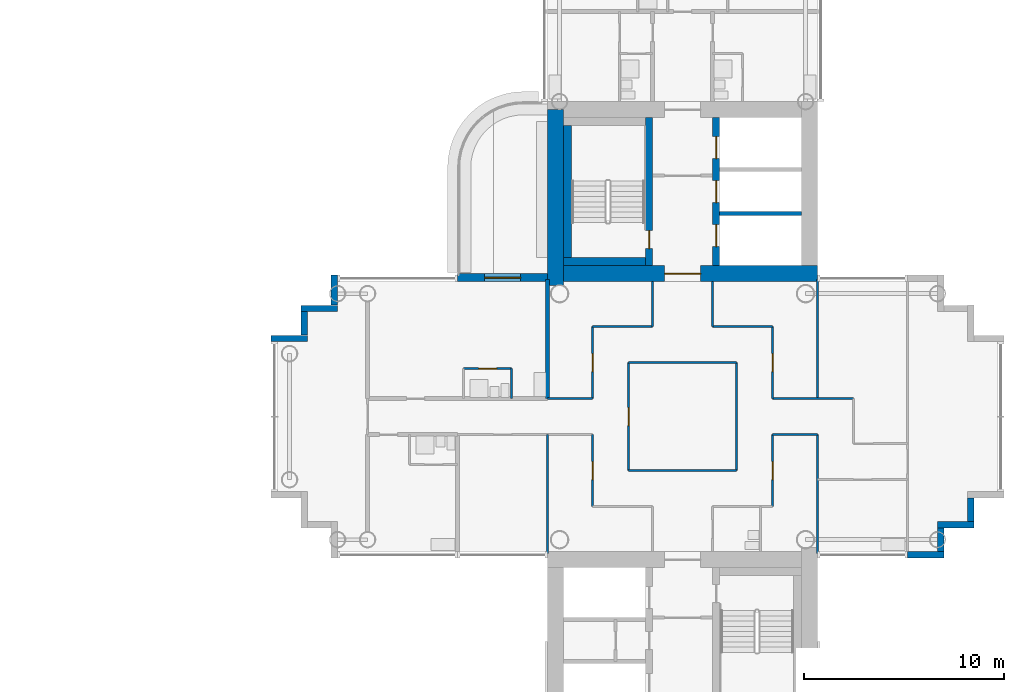
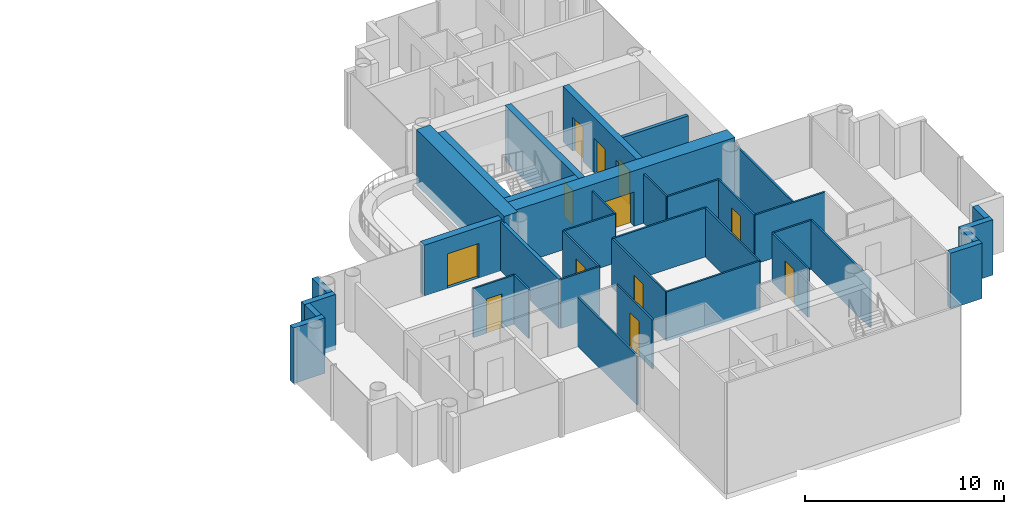
# One storey, part 11 of 20: 37 walls, 12 doors, 12 openings.
"""IFC4 building model written with IfcOpenShell, lengths in metres."""

from ifc_helpers import new_model, si_unit, direction, frame, frame_2d, origin, place, context, subcontext, project, spatial, rectangle, extrude, material, layer, layer_set, type_object, element, fill, save


model = new_model("IFC4")

# Units and contexts
model_context = context("Model", 3, precision=1e-05, world=origin(), true_north=direction((0.0, 1.0)))
body_context = subcontext(model_context, "Body", "Model", "MODEL_VIEW")
ifc_project = project(units=[si_unit("LENGTHUNIT", "METRE"), si_unit("AREAUNIT", "SQUARE_METRE"), si_unit("VOLUMEUNIT", "CUBIC_METRE"), si_unit("PLANEANGLEUNIT", "RADIAN"), si_unit("MASSUNIT", "GRAM", prefix="KILO")], contexts=[model_context])

# Site, building, storey
site_placement = place(None, origin())
site = spatial("IfcSite", under=ifc_project, at=site_placement, CompositionType="ELEMENT")
building_placement = place(site_placement, origin())
building = spatial("IfcBuilding", under=site, at=building_placement, Name="Ipe Terrace Towers", CompositionType="ELEMENT")
storey_placement = place(building_placement, frame((0.0, 0.0, 167.699951171875)))
storey = spatial("IfcBuildingStorey", under=building, at=storey_placement, Name="L46", CompositionType="ELEMENT", Elevation=167.699951171875)

# Wall, opening, door
ifc_material_1 = material(Name="Concrete C40/50 with buff precast cladding", Category="concrete")
ifc_layer_1 = layer(ifc_material_1, 0.39990234375)
ifc_layer_set_1 = layer_set([ifc_layer_1], Name="BALCONY BAY WALL 400")
wall_type_1 = type_object("IfcWallType", Name="BALCONY BAY WALL 400", PredefinedType="STANDARD", material=ifc_layer_set_1)
wall_1_placement = place(storey_placement, frame((29.25, 6.949951171875, -0.02001953125), z_axis=(0.0, 0.0, 1.0), x_axis=(-1.0, 0.0, 0.0)))
wall_1 = element("IfcWall", 1, at=wall_1_placement, inside=storey, type_object=wall_type_1, Name="T2-W-L46-28a wall", PredefinedType="STANDARD", context=body_context, shape_type="SweptSolid", body=[
    extrude(rectangle(XDim=4.5, YDim=0.39990234375, at=frame_2d((2.25, 0.0))), origin(), (0.0, 0.0, 1.0), 3.1201171875),
])
opening_1_placement = place(wall_1_placement, frame((1.35009765625, 0.0, 0.02001953125)))
opening_1 = element("IfcOpeningElement", 2, at=opening_1_placement, cuts=wall_1, Name="Opening T2-D-L46-28", PredefinedType="OPENING", context=body_context, shape_type="SweptSolid", body=[
    extrude(rectangle(XDim=1.800048828125, YDim=2.10009765625, at=frame_2d((0.89990234375, 1.050048828125))), frame((0.0, 0.2099609375, 0.0), z_axis=(0.0, -1.0, 0.0), x_axis=(1.0, 0.0, 0.0)), (0.0, 0.0, 1.0), 0.419921875),
])
ifc_material_2 = material(Name="Aluminium alloy 6063-T6 framed glazed door", Category="aluminium")
door_type_1 = type_object("IfcDoorType", Name="BALCONY DOOR 1800 x 2100 RIGHT", OperationType="SINGLE_SWING_RIGHT", PredefinedType="DOOR", material=ifc_material_2)
door_1_placement = place(opening_1_placement, origin())
door_1 = element("IfcDoor", 3, at=door_1_placement, inside=storey, type_object=door_type_1, Name="DB2 door", OperationType="SINGLE_SWING_RIGHT", OverallHeight=2.10009765625, OverallWidth=1.800048828125, PredefinedType="DOOR", context=body_context, shape_type="SweptSolid", body=[
    extrude(rectangle(XDim=1.800048828125, YDim=2.10009765625, at=frame_2d((0.89990234375, 1.050048828125))), frame((0.0, 0.02490234375, 0.0), z_axis=(0.0, -1.0, 0.0), x_axis=(1.0, 0.0, 0.0)), (0.0, 0.0, 1.0), 0.050048828125),
])
fill(opening_1, door_1)

# Walls
ifc_material_3 = material(Name="Concrete C40/50 with buff precast cladding", Category="concrete")
ifc_layer_2 = layer(ifc_material_3, 0.320068359375)
ifc_layer_set_2 = layer_set([ifc_layer_2], Name="BUFF CLADDING WALL 320")
wall_type_2 = type_object("IfcWallType", Name="BUFF CLADDING WALL 320", PredefinedType="STANDARD", material=ifc_layer_set_2)
wall_2_placement = place(storey_placement, frame((47.25, -6.909912109375, -0.300048828125), z_axis=(0.0, 0.0, 1.0), x_axis=(1.0, 0.0, 0.0)))
element("IfcWall", 4, at=wall_2_placement, inside=storey, type_object=wall_type_2, Name="T2-W-L46-03a wall", PredefinedType="STANDARD", context=body_context, shape_type="SweptSolid", body=[
    extrude(rectangle(XDim=1.820068359375, YDim=0.320068359375, at=frame_2d((0.91015625, 0.0))), origin(), (0.0, 0.0, 1.0), 3.400146484375),
])
wall_3_placement = place(storey_placement, frame((48.909912109375, -6.75, -0.300048828125), z_axis=(0.0, 0.0, 1.0), x_axis=(0.0, 1.0, 0.0)))
element("IfcWall", 5, at=wall_3_placement, inside=storey, type_object=wall_type_2, Name="T2-W-L46-04a wall", PredefinedType="STANDARD", context=body_context, shape_type="SweptSolid", body=[
    extrude(rectangle(XDim=1.179931640625, YDim=0.320068359375, at=frame_2d((0.58984375, 0.0))), origin(), (0.0, 0.0, 1.0), 3.400146484375),
])
wall_4_placement = place(storey_placement, frame((48.75, -5.409912109375, -0.300048828125), z_axis=(0.0, 0.0, 1.0), x_axis=(1.0, 0.0, 0.0)))
element("IfcWall", 6, at=wall_4_placement, inside=storey, type_object=wall_type_2, Name="T2-W-L46-05a wall", PredefinedType="STANDARD", context=body_context, shape_type="SweptSolid", body=[
    extrude(rectangle(XDim=1.820068359375, YDim=0.320068359375, at=frame_2d((0.91015625, 0.0))), origin(), (0.0, 0.0, 1.0), 3.400146484375),
])
wall_5_placement = place(storey_placement, frame((50.409912109375, -5.25, -0.300048828125), z_axis=(0.0, 0.0, 1.0), x_axis=(0.0, 1.0, 0.0)))
element("IfcWall", 7, at=wall_5_placement, inside=storey, type_object=wall_type_2, Name="T2-W-L46-06a wall", PredefinedType="STANDARD", context=body_context, shape_type="SweptSolid", body=[
    extrude(rectangle(XDim=1.179931640625, YDim=0.320068359375, at=frame_2d((0.58984375, 0.0))), origin(), (0.0, 0.0, 1.0), 3.400146484375),
])
wall_6_placement = place(storey_placement, frame((18.590087890625, 7.070068359375, -0.300048828125), z_axis=(0.0, 0.0, 1.0), x_axis=(0.0, -1.0, 0.0)))
element("IfcWall", 8, at=wall_6_placement, inside=storey, type_object=wall_type_2, Name="T2-W-L46-30a wall", PredefinedType="STANDARD", context=body_context, shape_type="SweptSolid", body=[
    extrude(rectangle(XDim=1.5, YDim=0.320068359375, at=frame_2d((0.75, 0.0))), origin(), (0.0, 0.0, 1.0), 3.400146484375),
])
wall_7_placement = place(storey_placement, frame((18.75, 5.409912109375, -0.300048828125), z_axis=(0.0, 0.0, 1.0), x_axis=(-1.0, 0.0, 0.0)))
element("IfcWall", 9, at=wall_7_placement, inside=storey, type_object=wall_type_2, Name="T2-W-L46-31a wall", PredefinedType="STANDARD", context=body_context, shape_type="SweptSolid", body=[
    extrude(rectangle(XDim=1.820068359375, YDim=0.320068359375, at=frame_2d((0.91015625, 0.0))), origin(), (0.0, 0.0, 1.0), 3.400146484375),
])
wall_8_placement = place(storey_placement, frame((17.090087890625, 5.25, -0.300048828125), z_axis=(0.0, 0.0, 1.0), x_axis=(0.0, -1.0, 0.0)))
element("IfcWall", 10, at=wall_8_placement, inside=storey, type_object=wall_type_2, Name="T2-W-L46-32a wall", PredefinedType="STANDARD", context=body_context, shape_type="SweptSolid", body=[
    extrude(rectangle(XDim=1.179931640625, YDim=0.320068359375, at=frame_2d((0.58984375, 0.0))), origin(), (0.0, 0.0, 1.0), 3.400146484375),
])
wall_9_placement = place(storey_placement, frame((17.25, 3.909912109375, -0.300048828125), z_axis=(0.0, 0.0, 1.0), x_axis=(-1.0, 0.0, 0.0)))
element("IfcWall", 11, at=wall_9_placement, inside=storey, type_object=wall_type_2, Name="T2-W-L46-33a wall", PredefinedType="STANDARD", context=body_context, shape_type="SweptSolid", body=[
    extrude(rectangle(XDim=1.820068359375, YDim=0.320068359375, at=frame_2d((0.91015625, 0.0))), origin(), (0.0, 0.0, 1.0), 3.400146484375),
])
ifc_material_4 = material(Name="Gypsum board partition", Category="plasterboard")
ifc_layer_3 = layer(ifc_material_4, 0.10009765625)
ifc_layer_set_3 = layer_set([ifc_layer_3], Name="Gypsum board partition 100 mm")
wall_type_3 = type_object("IfcWallType", Name="Gypsum board partition 100 mm", PredefinedType="PARTITIONING", material=ifc_layer_set_3)
wall_10_placement = place(storey_placement, frame((38.699951171875, -2.699951171875, 0.0), z_axis=(0.0, 0.0, 1.0), x_axis=(-1.0, 0.0, 0.0)))
element("IfcWall", 12, at=wall_10_placement, inside=storey, type_object=wall_type_3, Name="Gypsum board partition T2 L46 W04", PredefinedType="PARTITIONING", context=body_context, shape_type="SweptSolid", body=[
    extrude(rectangle(XDim=5.39990234375, YDim=0.10009765625, at=frame_2d((2.699951171875, 0.0))), origin(), (0.0, 0.0, 1.0), 3.0),
])
wall_11_placement = place(storey_placement, frame((42.75, -0.89990234375, 0.0), z_axis=(0.0, 0.0, 1.0), x_axis=(-1.0, 0.0, 0.0)))
element("IfcWall", 13, at=wall_11_placement, inside=storey, type_object=wall_type_3, Name="Gypsum board partition T2 L46 W07", PredefinedType="PARTITIONING", context=body_context, shape_type="SweptSolid", body=[
    extrude(rectangle(XDim=2.25, YDim=0.10009765625, at=frame_2d((1.125, 0.0))), origin(), (0.0, 0.0, 1.0), 3.0),
])
wall_12_placement = place(storey_placement, frame((44.550048828125, 0.89990234375, 0.0), z_axis=(0.0, 0.0, 1.0), x_axis=(-1.0, 0.0, 0.0)))
element("IfcWall", 14, at=wall_12_placement, inside=storey, type_object=wall_type_3, Name="Gypsum board partition T2 L46 W10", PredefinedType="PARTITIONING", context=body_context, shape_type="SweptSolid", body=[
    extrude(rectangle(XDim=4.050048828125, YDim=0.10009765625, at=frame_2d((2.02490234375, 0.0))), origin(), (0.0, 0.0, 1.0), 3.0),
])
wall_13_placement = place(storey_placement, frame((31.5, 0.89990234375, 0.0), z_axis=(0.0, 0.0, 1.0), x_axis=(-1.0, 0.0, 0.0)))
element("IfcWall", 15, at=wall_13_placement, inside=storey, type_object=wall_type_3, Name="Gypsum board partition T2 L46 W11", PredefinedType="PARTITIONING", context=body_context, shape_type="SweptSolid", body=[
    extrude(rectangle(XDim=2.25, YDim=0.10009765625, at=frame_2d((1.125, 0.0))), origin(), (0.0, 0.0, 1.0), 3.0),
])

# Wall, opening, door
wall_14_placement = place(storey_placement, frame((27.449951171875, 2.39990234375, 0.0), z_axis=(0.0, 0.0, 1.0), x_axis=(-1.0, 0.0, 0.0)))
wall_14 = element("IfcWall", 16, at=wall_14_placement, inside=storey, type_object=wall_type_3, Name="Gypsum board partition T2 L46 W13", PredefinedType="PARTITIONING", context=body_context, shape_type="SweptSolid", body=[
    extrude(rectangle(XDim=2.39990234375, YDim=0.10009765625, at=frame_2d((1.199951171875, 0.0))), origin(), (0.0, 0.0, 1.0), 3.0),
])
opening_2_placement = place(wall_14_placement, frame((0.75, 0.0, 0.0)))
opening_2 = element("IfcOpeningElement", 17, at=opening_2_placement, cuts=wall_14, Name="Opening T2-Z3F-11", PredefinedType="OPENING", context=body_context, shape_type="SweptSolid", body=[
    extrude(rectangle(XDim=0.89990234375, YDim=2.10009765625, at=frame_2d((0.449951171875, 1.050048828125))), frame((0.0, 0.06005859375, 0.0), z_axis=(0.0, -1.0, 0.0), x_axis=(1.0, 0.0, 0.0)), (0.0, 0.0, 1.0), 0.1201171875),
])
ifc_material_5 = material(Name="Timber door leaf", Category="wood")
door_type_2 = type_object("IfcDoorType", Name="Bathroom door 900 x 2100", OperationType="NOTDEFINED", PredefinedType="DOOR", material=ifc_material_5)
door_2_placement = place(opening_2_placement, origin())
door_2 = element("IfcDoor", 18, at=door_2_placement, inside=storey, type_object=door_type_2, Name="Bathroom door T2-Z3F-11", OperationType="SINGLE_SWING_LEFT", OverallHeight=2.10009765625, OverallWidth=0.89990234375, PredefinedType="DOOR", context=body_context, shape_type="SweptSolid", body=[
    extrude(rectangle(XDim=0.89990234375, YDim=2.10009765625, at=frame_2d((0.449951171875, 1.050048828125))), frame((0.0, 0.02490234375, 0.0), z_axis=(0.0, -1.0, 0.0), x_axis=(1.0, 0.0, 0.0)), (0.0, 0.0, 1.0), 0.050048828125),
])
fill(opening_2, door_2)

# Walls
wall_15_placement = place(storey_placement, frame((38.699951171875, 2.699951171875, 0.0), z_axis=(0.0, 0.0, 1.0), x_axis=(-1.0, 0.0, 0.0)))
element("IfcWall", 19, at=wall_15_placement, inside=storey, type_object=wall_type_3, Name="Gypsum board partition T2 L46 W14", PredefinedType="PARTITIONING", context=body_context, shape_type="SweptSolid", body=[
    extrude(rectangle(XDim=5.39990234375, YDim=0.10009765625, at=frame_2d((2.699951171875, 0.0))), origin(), (0.0, 0.0, 1.0), 3.0),
])
for number, where, z_axis, x_axis, name in (
    (20, (40.5, 4.5, 0.0), (0.0, 0.0, 1.0), (-1.0, 0.0, 0.0), "Gypsum board partition T2 L46 W15"),
    (21, (34.5, 4.5, 0.0), (0.0, 0.0, 1.0), (-1.0, 0.0, 0.0), "Gypsum board partition T2 L46 W16"),
):
    element("IfcWall", number, at=place(storey_placement, frame(where, z_axis=z_axis, x_axis=x_axis)), inside=storey, type_object=wall_type_3, Name=name, PredefinedType="PARTITIONING", context=body_context, shape_type="SweptSolid", body=[
        extrude(rectangle(XDim=3.0, YDim=0.10009765625, at=frame_2d((1.5, 0.0))), origin(), (0.0, 0.0, 1.0), 3.0),
    ])
for number, where, z_axis, x_axis, name in (
    (22, (42.75, -6.85009765625, 0.0), (0.0, 0.0, 1.0), (0.0, 1.0, 0.0), "Gypsum board partition T2 L46 W23"),
    (23, (42.75, 0.89990234375, 0.0), (0.0, 0.0, 1.0), (0.0, 1.0, 0.0), "Gypsum board partition T2 L46 W24"),
):
    element("IfcWall", number, at=place(storey_placement, frame(where, z_axis=z_axis, x_axis=x_axis)), inside=storey, type_object=wall_type_3, Name=name, PredefinedType="PARTITIONING", context=body_context, shape_type="SweptSolid", body=[
        extrude(rectangle(XDim=5.9501953125, YDim=0.10009765625, at=frame_2d((2.97509765625, 0.0))), origin(), (0.0, 0.0, 1.0), 3.0),
    ])

# Wall, opening, door
wall_16_placement = place(storey_placement, frame((40.5, -4.5, 0.0), z_axis=(0.0, 0.0, 1.0), x_axis=(0.0, 1.0, 0.0)))
wall_16 = element("IfcWall", 24, at=wall_16_placement, inside=storey, type_object=wall_type_3, Name="Gypsum board partition T2 L46 W25", PredefinedType="PARTITIONING", context=body_context, shape_type="SweptSolid", body=[
    extrude(rectangle(XDim=3.60009765625, YDim=0.10009765625, at=frame_2d((1.800048828125, 0.0))), origin(), (0.0, 0.0, 1.0), 3.0),
])
opening_3_placement = place(wall_16_placement, frame((1.35009765625, 0.0, 0.0)))
opening_3 = element("IfcOpeningElement", 25, at=opening_3_placement, cuts=wall_16, Name="Opening T2-Z3F-05", PredefinedType="OPENING", context=body_context, shape_type="SweptSolid", body=[
    extrude(rectangle(XDim=0.89990234375, YDim=2.10009765625, at=frame_2d((0.449951171875, 1.050048828125))), frame((0.0, 0.06005859375, 0.0), z_axis=(0.0, -1.0, 0.0), x_axis=(1.0, 0.0, 0.0)), (0.0, 0.0, 1.0), 0.1201171875),
])
ifc_material_6 = material(Name="Timber door leaf", Category="wood")
door_type_3 = type_object("IfcDoorType", Name="Lounge door 900 x 2100", OperationType="NOTDEFINED", PredefinedType="DOOR", material=ifc_material_6)
door_3_placement = place(opening_3_placement, origin())
door_3 = element("IfcDoor", 26, at=door_3_placement, inside=storey, type_object=door_type_3, Name="Lounge door T2-Z3F-05", OperationType="SINGLE_SWING_LEFT", OverallHeight=2.10009765625, OverallWidth=0.89990234375, PredefinedType="DOOR", context=body_context, shape_type="SweptSolid", body=[
    extrude(rectangle(XDim=0.89990234375, YDim=2.10009765625, at=frame_2d((0.449951171875, 1.050048828125))), frame((0.0, 0.02490234375, 0.0), z_axis=(0.0, -1.0, 0.0), x_axis=(1.0, 0.0, 0.0)), (0.0, 0.0, 1.0), 0.050048828125),
])
fill(opening_3, door_3)

wall_17_placement = place(storey_placement, frame((40.5, 0.89990234375, 0.0), z_axis=(0.0, 0.0, 1.0), x_axis=(0.0, 1.0, 0.0)))
wall_17 = element("IfcWall", 27, at=wall_17_placement, inside=storey, type_object=wall_type_3, Name="Gypsum board partition T2 L46 W26", PredefinedType="PARTITIONING", context=body_context, shape_type="SweptSolid", body=[
    extrude(rectangle(XDim=3.60009765625, YDim=0.10009765625, at=frame_2d((1.800048828125, 0.0))), origin(), (0.0, 0.0, 1.0), 3.0),
])
opening_4_placement = place(wall_17_placement, frame((1.35009765625, 0.0, 0.0)))
opening_4 = element("IfcOpeningElement", 28, at=opening_4_placement, cuts=wall_17, Name="Opening T2-Z3F-06", PredefinedType="OPENING", context=body_context, shape_type="SweptSolid", body=[
    extrude(rectangle(XDim=0.89990234375, YDim=2.10009765625, at=frame_2d((0.449951171875, 1.050048828125))), frame((0.0, 0.06005859375, 0.0), z_axis=(0.0, -1.0, 0.0), x_axis=(1.0, 0.0, 0.0)), (0.0, 0.0, 1.0), 0.1201171875),
])
door_4_placement = place(opening_4_placement, origin())
door_4 = element("IfcDoor", 29, at=door_4_placement, inside=storey, type_object=door_type_3, Name="Lounge door T2-Z3F-06", OperationType="SINGLE_SWING_LEFT", OverallHeight=2.10009765625, OverallWidth=0.89990234375, PredefinedType="DOOR", context=body_context, shape_type="SweptSolid", body=[
    extrude(rectangle(XDim=0.89990234375, YDim=2.10009765625, at=frame_2d((0.449951171875, 1.050048828125))), frame((0.0, 0.02490234375, 0.0), z_axis=(0.0, -1.0, 0.0), x_axis=(1.0, 0.0, 0.0)), (0.0, 0.0, 1.0), 0.050048828125),
])
fill(opening_4, door_4)

# Walls
wall_18_placement = place(storey_placement, frame((38.699951171875, -2.699951171875, 0.0), z_axis=(0.0, 0.0, 1.0), x_axis=(0.0, 1.0, 0.0)))
element("IfcWall", 30, at=wall_18_placement, inside=storey, type_object=wall_type_3, Name="Gypsum board partition T2 L46 W29", PredefinedType="PARTITIONING", context=body_context, shape_type="SweptSolid", body=[
    extrude(rectangle(XDim=5.39990234375, YDim=0.10009765625, at=frame_2d((2.699951171875, 0.0))), origin(), (0.0, 0.0, 1.0), 3.0),
])
for number, where, z_axis, x_axis, name in (
    (31, (37.5, 4.5, 0.0), (0.0, 0.0, 1.0), (0.0, 1.0, 0.0), "Gypsum board partition T2 L46 W32"),
    (32, (34.5, 4.5, 0.0), (0.0, 0.0, 1.0), (0.0, 1.0, 0.0), "Gypsum board partition T2 L46 W36"),
):
    element("IfcWall", number, at=place(storey_placement, frame(where, z_axis=z_axis, x_axis=x_axis)), inside=storey, type_object=wall_type_3, Name=name, PredefinedType="PARTITIONING", context=body_context, shape_type="SweptSolid", body=[
        extrude(rectangle(XDim=2.25, YDim=0.10009765625, at=frame_2d((1.125, 0.0))), origin(), (0.0, 0.0, 1.0), 3.0),
    ])

# Wall, opening, door
wall_19_placement = place(storey_placement, frame((33.300048828125, -2.699951171875, 0.0), z_axis=(0.0, 0.0, 1.0), x_axis=(0.0, 1.0, 0.0)))
wall_19 = element("IfcWall", 33, at=wall_19_placement, inside=storey, type_object=wall_type_3, Name="Gypsum board partition T2 L46 W39", PredefinedType="PARTITIONING", context=body_context, shape_type="SweptSolid", body=[
    extrude(rectangle(XDim=5.39990234375, YDim=0.10009765625, at=frame_2d((2.699951171875, 0.0))), origin(), (0.0, 0.0, 1.0), 3.0),
])
opening_5_placement = place(wall_19_placement, frame((2.25, 0.0, 0.0)))
opening_5 = element("IfcOpeningElement", 34, at=opening_5_placement, cuts=wall_19, Name="Opening T2-Z3F-01", PredefinedType="OPENING", context=body_context, shape_type="SweptSolid", body=[
    extrude(rectangle(XDim=0.89990234375, YDim=2.10009765625, at=frame_2d((0.449951171875, 1.050048828125))), frame((0.0, 0.06005859375, 0.0), z_axis=(0.0, -1.0, 0.0), x_axis=(1.0, 0.0, 0.0)), (0.0, 0.0, 1.0), 0.1201171875),
])
door_5_placement = place(opening_5_placement, origin())
door_5 = element("IfcDoor", 35, at=door_5_placement, inside=storey, type_object=door_type_3, Name="Lounge door T2-Z3F-01", OperationType="SINGLE_SWING_RIGHT", OverallHeight=2.10009765625, OverallWidth=0.89990234375, PredefinedType="DOOR", context=body_context, shape_type="SweptSolid", body=[
    extrude(rectangle(XDim=0.89990234375, YDim=2.10009765625, at=frame_2d((0.449951171875, 1.050048828125))), frame((0.0, 0.02490234375, 0.0), z_axis=(0.0, -1.0, 0.0), x_axis=(1.0, 0.0, 0.0)), (0.0, 0.0, 1.0), 0.050048828125),
])
fill(opening_5, door_5)

wall_20_placement = place(storey_placement, frame((31.5, -4.5, 0.0), z_axis=(0.0, 0.0, 1.0), x_axis=(0.0, 1.0, 0.0)))
wall_20 = element("IfcWall", 36, at=wall_20_placement, inside=storey, type_object=wall_type_3, Name="Gypsum board partition T2 L46 W41", PredefinedType="PARTITIONING", context=body_context, shape_type="SweptSolid", body=[
    extrude(rectangle(XDim=3.60009765625, YDim=0.10009765625, at=frame_2d((1.800048828125, 0.0))), origin(), (0.0, 0.0, 1.0), 3.0),
])
opening_6_placement = place(wall_20_placement, frame((1.35009765625, 0.0, 0.0)))
opening_6 = element("IfcOpeningElement", 37, at=opening_6_placement, cuts=wall_20, Name="Opening T2-Z3F-04", PredefinedType="OPENING", context=body_context, shape_type="SweptSolid", body=[
    extrude(rectangle(XDim=0.89990234375, YDim=2.10009765625, at=frame_2d((0.449951171875, 1.050048828125))), frame((0.0, 0.06005859375, 0.0), z_axis=(0.0, -1.0, 0.0), x_axis=(1.0, 0.0, 0.0)), (0.0, 0.0, 1.0), 0.1201171875),
])
door_6_placement = place(opening_6_placement, origin())
door_6 = element("IfcDoor", 38, at=door_6_placement, inside=storey, type_object=door_type_3, Name="Lounge door T2-Z3F-04", OperationType="SINGLE_SWING_LEFT", OverallHeight=2.10009765625, OverallWidth=0.89990234375, PredefinedType="DOOR", context=body_context, shape_type="SweptSolid", body=[
    extrude(rectangle(XDim=0.89990234375, YDim=2.10009765625, at=frame_2d((0.449951171875, 1.050048828125))), frame((0.0, 0.02490234375, 0.0), z_axis=(0.0, -1.0, 0.0), x_axis=(1.0, 0.0, 0.0)), (0.0, 0.0, 1.0), 0.050048828125),
])
fill(opening_6, door_6)

wall_21_placement = place(storey_placement, frame((31.5, 0.89990234375, 0.0), z_axis=(0.0, 0.0, 1.0), x_axis=(0.0, 1.0, 0.0)))
wall_21 = element("IfcWall", 39, at=wall_21_placement, inside=storey, type_object=wall_type_3, Name="Gypsum board partition T2 L46 W42", PredefinedType="PARTITIONING", context=body_context, shape_type="SweptSolid", body=[
    extrude(rectangle(XDim=3.60009765625, YDim=0.10009765625, at=frame_2d((1.800048828125, 0.0))), origin(), (0.0, 0.0, 1.0), 3.0),
])
opening_7_placement = place(wall_21_placement, frame((1.35009765625, 0.0, 0.0)))
opening_7 = element("IfcOpeningElement", 40, at=opening_7_placement, cuts=wall_21, Name="Opening T2-Z3F-03", PredefinedType="OPENING", context=body_context, shape_type="SweptSolid", body=[
    extrude(rectangle(XDim=0.89990234375, YDim=2.10009765625, at=frame_2d((0.449951171875, 1.050048828125))), frame((0.0, 0.06005859375, 0.0), z_axis=(0.0, -1.0, 0.0), x_axis=(1.0, 0.0, 0.0)), (0.0, 0.0, 1.0), 0.1201171875),
])
door_7_placement = place(opening_7_placement, origin())
door_7 = element("IfcDoor", 41, at=door_7_placement, inside=storey, type_object=door_type_3, Name="Lounge door T2-Z3F-03", OperationType="SINGLE_SWING_RIGHT", OverallHeight=2.10009765625, OverallWidth=0.89990234375, PredefinedType="DOOR", context=body_context, shape_type="SweptSolid", body=[
    extrude(rectangle(XDim=0.89990234375, YDim=2.10009765625, at=frame_2d((0.449951171875, 1.050048828125))), frame((0.0, 0.02490234375, 0.0), z_axis=(0.0, -1.0, 0.0), x_axis=(1.0, 0.0, 0.0)), (0.0, 0.0, 1.0), 0.050048828125),
])
fill(opening_7, door_7)

# Walls
wall_22_placement = place(storey_placement, frame((29.25, -6.85009765625, 0.0), z_axis=(0.0, 0.0, 1.0), x_axis=(0.0, 1.0, 0.0)))
element("IfcWall", 42, at=wall_22_placement, inside=storey, type_object=wall_type_3, Name="Gypsum board partition T2 L46 W43", PredefinedType="PARTITIONING", context=body_context, shape_type="SweptSolid", body=[
    extrude(rectangle(XDim=5.9501953125, YDim=0.10009765625, at=frame_2d((2.97509765625, 0.0))), origin(), (0.0, 0.0, 1.0), 3.0),
])
wall_23_placement = place(storey_placement, frame((27.449951171875, 0.89990234375, 0.0), z_axis=(0.0, 0.0, 1.0), x_axis=(0.0, 1.0, 0.0)))
element("IfcWall", 43, at=wall_23_placement, inside=storey, type_object=wall_type_3, Name="Gypsum board partition T2 L46 W45", PredefinedType="PARTITIONING", context=body_context, shape_type="SweptSolid", body=[
    extrude(rectangle(XDim=1.5, YDim=0.10009765625, at=frame_2d((0.75, 0.0))), origin(), (0.0, 0.0, 1.0), 3.0),
])
ifc_material_7 = material(Name="Gypsum board party wall", Category="plasterboard")
ifc_layer_4 = layer(ifc_material_7, 0.199951171875)
ifc_layer_set_4 = layer_set([ifc_layer_4], Name="Gypsum board party wall 200 mm")
wall_type_4 = type_object("IfcWallType", Name="Gypsum board party wall 200 mm", PredefinedType="SOLIDWALL", material=ifc_layer_set_4)
wall_24_placement = place(storey_placement, frame((41.949951171875, 10.14990234375, 0.0), z_axis=(0.0, 0.0, 1.0), x_axis=(-1.0, 0.0, 0.0)))
element("IfcWall", 44, at=wall_24_placement, inside=storey, type_object=wall_type_4, Name="Gypsum board party wall T2 L46 t2c1-shaft-div1", PredefinedType="SOLIDWALL", context=body_context, shape_type="SweptSolid", body=[
    extrude(rectangle(XDim=4.099853515625, YDim=0.199951171875, at=frame_2d((2.0498046875, 0.0))), origin(), (0.0, 0.0, 1.0), 3.0),
])
wall_25_placement = place(storey_placement, frame((29.25, 0.89990234375, 0.0), z_axis=(0.0, 0.0, 1.0), x_axis=(0.0, 1.0, 0.0)))
element("IfcWall", 45, at=wall_25_placement, inside=storey, type_object=wall_type_4, Name="Gypsum board party wall T2 L46 W44", PredefinedType="SOLIDWALL", context=body_context, shape_type="SweptSolid", body=[
    extrude(rectangle(XDim=5.9501953125, YDim=0.199951171875, at=frame_2d((2.97509765625, 0.0))), origin(), (0.0, 0.0, 1.0), 3.0),
])

# Wall, opening, door
ifc_material_8 = material(Name="Concrete C50/60", Category="concrete")
ifc_layer_5 = layer(ifc_material_8, 0.35009765625)
ifc_layer_set_5 = layer_set([ifc_layer_5], Name="RW350 CORE SPINE WALL 350 C50-60")
wall_type_5 = type_object("IfcWallType", Name="RW350 CORE SPINE WALL 350 C50-60", PredefinedType="SHEAR", material=ifc_layer_set_5)
wall_26_placement = place(storey_placement, frame((34.324951171875, 7.550048828125, 0.0), z_axis=(0.0, 0.0, 1.0), x_axis=(0.0, 1.0, 0.0)))
wall_26 = element("IfcWall", 46, at=wall_26_placement, inside=storey, type_object=wall_type_5, Name="Core spine wall T2-C1-Z3-SW1", PredefinedType="SHEAR", context=body_context, shape_type="SweptSolid", body=[
    extrude(rectangle(XDim=7.39990234375, YDim=0.35009765625, at=frame_2d((3.699951171875, 0.0))), origin(), (0.0, 0.0, 1.0), 3.400146484375),
])
opening_8_placement = place(wall_26_placement, frame((0.85009765625, 0.0, 0.0)))
opening_8 = element("IfcOpeningElement", 47, at=opening_8_placement, cuts=wall_26, Name="Opening T2C1-SD", PredefinedType="OPENING", context=body_context, shape_type="SweptSolid", body=[
    extrude(rectangle(XDim=0.89990234375, YDim=2.10009765625, at=frame_2d((0.449951171875, 1.050048828125))), frame((0.0, 0.18505859375, 0.0), z_axis=(0.0, -1.0, 0.0), x_axis=(1.0, 0.0, 0.0)), (0.0, 0.0, 1.0), 0.3701171875),
])
ifc_material_9 = material(Name="Fire-rated timber door leaf", Category="wood")
door_type_4 = type_object("IfcDoorType", Name="Stair door 900 x 2100 FD60", OperationType="NOTDEFINED", PredefinedType="DOOR", material=ifc_material_9)
door_8_placement = place(opening_8_placement, origin())
door_8 = element("IfcDoor", 48, at=door_8_placement, inside=storey, type_object=door_type_4, Name="Stair door T2C1-SD", OperationType="SINGLE_SWING_LEFT", OverallHeight=2.10009765625, OverallWidth=0.89990234375, PredefinedType="DOOR", context=body_context, shape_type="SweptSolid", body=[
    extrude(rectangle(XDim=0.89990234375, YDim=2.10009765625, at=frame_2d((0.449951171875, 1.050048828125))), frame((0.0, 0.02490234375, 0.0), z_axis=(0.0, -1.0, 0.0), x_axis=(1.0, 0.0, 0.0)), (0.0, 0.0, 1.0), 0.050048828125),
])
fill(opening_8, door_8)

# Wall, openings, doors
wall_27_placement = place(storey_placement, frame((37.675048828125, 7.550048828125, 0.0), z_axis=(0.0, 0.0, 1.0), x_axis=(0.0, 1.0, 0.0)))
wall_27 = element("IfcWall", 49, at=wall_27_placement, inside=storey, type_object=wall_type_5, Name="Core spine wall T2-C1-Z3-SW2", PredefinedType="SHEAR", context=body_context, shape_type="SweptSolid", body=[
    extrude(rectangle(XDim=7.39990234375, YDim=0.35009765625, at=frame_2d((3.699951171875, 0.0))), origin(), (0.0, 0.0, 1.0), 3.400146484375),
])
opening_9_placement = place(wall_27_placement, frame((0.949951171875, 0.0, 0.0)))
opening_9 = element("IfcOpeningElement", 50, at=opening_9_placement, cuts=wall_27, Name="Opening T2C1-LD1", PredefinedType="OPENING", context=body_context, shape_type="SweptSolid", body=[
    extrude(rectangle(XDim=1.10009765625, YDim=2.10009765625, at=frame_2d((0.550048828125, 1.050048828125))), frame((0.0, 0.18505859375, 0.0), z_axis=(0.0, -1.0, 0.0), x_axis=(1.0, 0.0, 0.0)), (0.0, 0.0, 1.0), 0.3701171875),
])
opening_10_placement = place(wall_27_placement, frame((3.14990234375, 0.0, 0.0)))
opening_10 = element("IfcOpeningElement", 51, at=opening_10_placement, cuts=wall_27, Name="Opening T2C1-LD2", PredefinedType="OPENING", context=body_context, shape_type="SweptSolid", body=[
    extrude(rectangle(XDim=1.10009765625, YDim=2.10009765625, at=frame_2d((0.550048828125, 1.050048828125))), frame((0.0, 0.18505859375, 0.0), z_axis=(0.0, -1.0, 0.0), x_axis=(1.0, 0.0, 0.0)), (0.0, 0.0, 1.0), 0.3701171875),
])
opening_11_placement = place(wall_27_placement, frame((5.35009765625, 0.0, 0.0)))
opening_11 = element("IfcOpeningElement", 52, at=opening_11_placement, cuts=wall_27, Name="Opening T2C1-LD3", PredefinedType="OPENING", context=body_context, shape_type="SweptSolid", body=[
    extrude(rectangle(XDim=1.10009765625, YDim=2.10009765625, at=frame_2d((0.550048828125, 1.050048828125))), frame((0.0, 0.18505859375, 0.0), z_axis=(0.0, -1.0, 0.0), x_axis=(1.0, 0.0, 0.0)), (0.0, 0.0, 1.0), 0.3701171875),
])
ifc_material_10 = material(Name="Fire-rated timber door leaf", Category="wood")
door_type_5 = type_object("IfcDoorType", Name="Sliding door 1100 x 2100 FD60", OperationType="SLIDING_TO_LEFT", PredefinedType="DOOR", material=ifc_material_10)
door_9_placement = place(opening_9_placement, origin())
door_9 = element("IfcDoor", 53, at=door_9_placement, inside=storey, type_object=door_type_5, Name="Sliding door T2C1-LD1", OperationType="SLIDING_TO_LEFT", OverallHeight=2.10009765625, OverallWidth=1.10009765625, PredefinedType="DOOR", context=body_context, shape_type="SweptSolid", body=[
    extrude(rectangle(XDim=1.10009765625, YDim=2.10009765625, at=frame_2d((0.550048828125, 1.050048828125))), frame((0.0, 0.02490234375, 0.0), z_axis=(0.0, -1.0, 0.0), x_axis=(1.0, 0.0, 0.0)), (0.0, 0.0, 1.0), 0.050048828125),
])
fill(opening_9, door_9)
door_10_placement = place(opening_10_placement, origin())
door_10 = element("IfcDoor", 54, at=door_10_placement, inside=storey, type_object=door_type_5, Name="Sliding door T2C1-LD2", OperationType="SLIDING_TO_LEFT", OverallHeight=2.10009765625, OverallWidth=1.10009765625, PredefinedType="DOOR", context=body_context, shape_type="SweptSolid", body=[
    extrude(rectangle(XDim=1.10009765625, YDim=2.10009765625, at=frame_2d((0.550048828125, 1.050048828125))), frame((0.0, 0.02490234375, 0.0), z_axis=(0.0, -1.0, 0.0), x_axis=(1.0, 0.0, 0.0)), (0.0, 0.0, 1.0), 0.050048828125),
])
fill(opening_10, door_10)
door_11_placement = place(opening_11_placement, origin())
door_11 = element("IfcDoor", 55, at=door_11_placement, inside=storey, type_object=door_type_5, Name="Sliding door T2C1-LD3", OperationType="SLIDING_TO_LEFT", OverallHeight=2.10009765625, OverallWidth=1.10009765625, PredefinedType="DOOR", context=body_context, shape_type="SweptSolid", body=[
    extrude(rectangle(XDim=1.10009765625, YDim=2.10009765625, at=frame_2d((0.550048828125, 1.050048828125))), frame((0.0, 0.02490234375, 0.0), z_axis=(0.0, -1.0, 0.0), x_axis=(1.0, 0.0, 0.0)), (0.0, 0.0, 1.0), 0.050048828125),
])
fill(opening_11, door_11)

# Walls
ifc_material_11 = material(Name="Concrete C50/60", Category="concrete")
ifc_layer_6 = layer(ifc_material_11, 0.39990234375)
ifc_layer_set_6 = layer_set([ifc_layer_6], Name="RW400 CORE INFILL WALL 400 C50-60")
wall_type_6 = type_object("IfcWallType", Name="RW400 CORE INFILL WALL 400 C50-60", PredefinedType="SHEAR", material=ifc_layer_set_6)
wall_28_placement = place(storey_placement, frame((30.25, 7.949951171875, 0.0), z_axis=(0.0, 0.0, 1.0), x_axis=(0.0, 1.0, 0.0)))
element("IfcWall", 56, at=wall_28_placement, inside=storey, type_object=wall_type_6, Name="Core infill wall T2-C1-back", PredefinedType="SHEAR", context=body_context, shape_type="SweptSolid", body=[
    extrude(rectangle(XDim=6.60009765625, YDim=0.39990234375, at=frame_2d((3.300048828125, 0.0))), origin(), (0.0, 0.0, 1.0), 3.400146484375),
])
wall_29_placement = place(storey_placement, frame((34.14990234375, 7.75, 0.0), z_axis=(0.0, 0.0, 1.0), x_axis=(-1.0, 0.0, 0.0)))
element("IfcWall", 57, at=wall_29_placement, inside=storey, type_object=wall_type_6, Name="Core infill wall T2-C1-near", PredefinedType="SHEAR", context=body_context, shape_type="SweptSolid", body=[
    extrude(rectangle(XDim=4.099853515625, YDim=0.39990234375, at=frame_2d((2.0498046875, 0.0))), origin(), (0.0, 0.0, 1.0), 3.400146484375),
])

# Wall, opening, door
ifc_material_12 = material(Name="Concrete C50/60", Category="concrete")
ifc_layer_7 = layer(ifc_material_12, 0.800048828125)
ifc_layer_set_7 = layer_set([ifc_layer_7], Name="RW800 CORE WALL 800 C50-60")
wall_type_7 = type_object("IfcWallType", Name="RW800 CORE WALL 800 C50-60", PredefinedType="SHEAR", material=ifc_layer_set_7)
wall_30_placement = place(storey_placement, frame((30.050048828125, 7.14990234375, 0.0), z_axis=(0.0, 0.0, 1.0), x_axis=(1.0, 0.0, 0.0)))
wall_30 = element("IfcWall", 58, at=wall_30_placement, inside=storey, type_object=wall_type_7, Name="Core wall T2-C1-Z3-W01", PredefinedType="SHEAR", context=body_context, shape_type="SweptSolid", body=[
    extrude(rectangle(XDim=12.699951171875, YDim=0.800048828125, at=frame_2d((6.35009765625, 0.0))), origin(), (0.0, 0.0, 1.0), 3.400146484375),
])
opening_12_placement = place(wall_30_placement, frame((5.050048828125, 0.0, 0.0)))
opening_12 = element("IfcOpeningElement", 59, at=opening_12_placement, cuts=wall_30, Name="Opening T2C1-ND", PredefinedType="OPENING", context=body_context, shape_type="SweptSolid", body=[
    extrude(rectangle(XDim=1.800048828125, YDim=2.10009765625, at=frame_2d((0.89990234375, 1.050048828125))), frame((0.0, 0.41015625, 0.0), z_axis=(0.0, -1.0, 0.0), x_axis=(1.0, 0.0, 0.0)), (0.0, 0.0, 1.0), 0.820068359375),
])
ifc_material_13 = material(Name="Fire-rated timber door leaf", Category="wood")
door_type_6 = type_object("IfcDoorType", Name="Fire door 1800 x 2100 FD30S", OperationType="NOTDEFINED", PredefinedType="DOOR", material=ifc_material_13)
door_12_placement = place(opening_12_placement, origin())
door_12 = element("IfcDoor", 60, at=door_12_placement, inside=storey, type_object=door_type_6, Name="Fire door T2C1-ND", OperationType="SINGLE_SWING_LEFT", OverallHeight=2.10009765625, OverallWidth=1.800048828125, PredefinedType="DOOR", context=body_context, shape_type="SweptSolid", body=[
    extrude(rectangle(XDim=1.800048828125, YDim=2.10009765625, at=frame_2d((0.89990234375, 1.050048828125))), frame((0.0, 0.02490234375, 0.0), z_axis=(0.0, -1.0, 0.0), x_axis=(1.0, 0.0, 0.0)), (0.0, 0.0, 1.0), 0.050048828125),
])
fill(opening_12, door_12)

# Wall
wall_31_placement = place(storey_placement, frame((29.64990234375, 15.347900390625, 0.0), z_axis=(0.0, 0.0, 1.0), x_axis=(0.0, -1.0, 0.0)))
element("IfcWall", 61, at=wall_31_placement, inside=storey, type_object=wall_type_7, Name="Core wall T2-C1-Z3-W04", PredefinedType="SHEAR", context=body_context, shape_type="SweptSolid", body=[
    extrude(rectangle(XDim=8.7958984375, YDim=0.800048828125, at=frame_2d((4.39794921875, 0.0))), origin(), (0.0, 0.0, 1.0), 3.400146484375),
])

save(model, "model.ifc")
